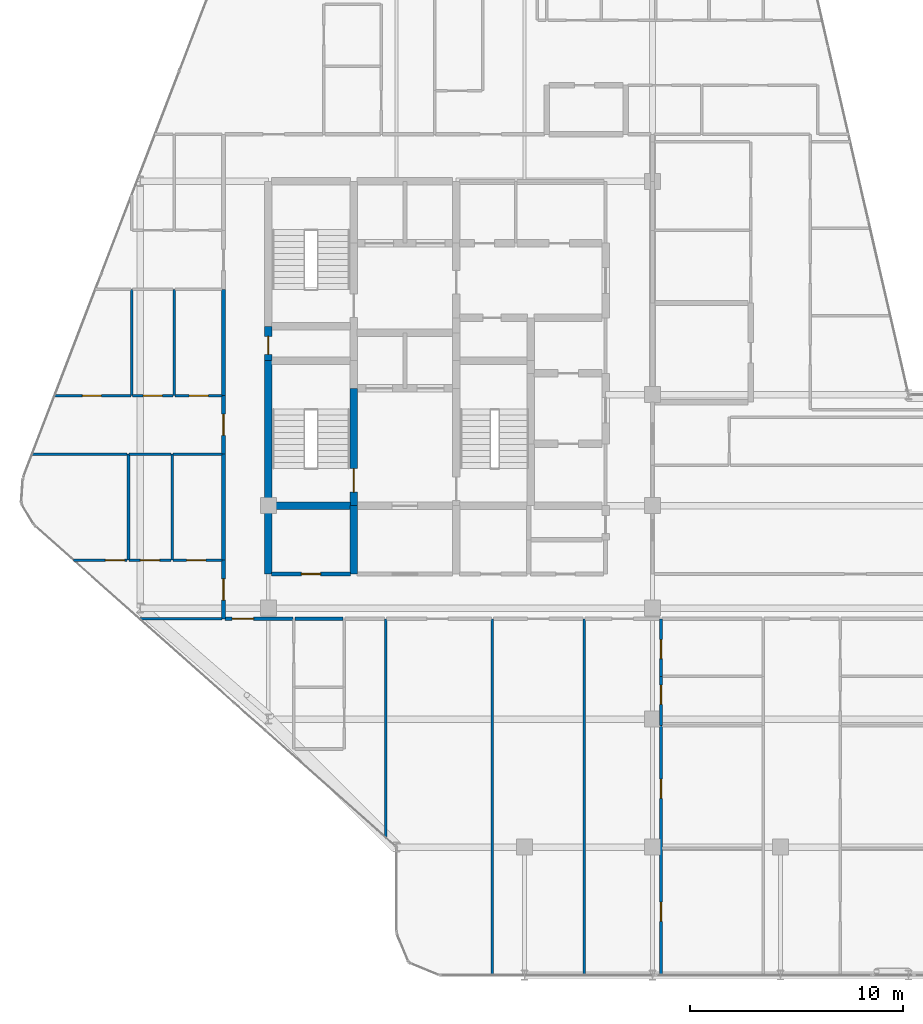
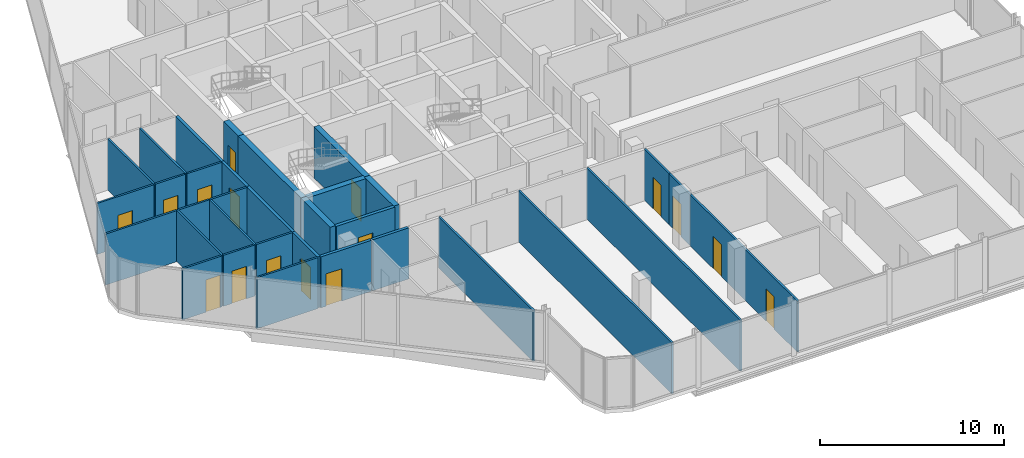
# One storey, part 23 of 29: 33 walls, 16 doors, 16 openings.
"""IFC4 building model written with IfcOpenShell, lengths in metres."""

from ifc_helpers import new_model, si_unit, direction, frame, frame_2d, origin, place, context, subcontext, project, spatial, rectangle, extrude, material, layer, layer_set, type_object, element, fill, save


model = new_model("IFC4")

# Units and contexts
model_context = context("Model", 3, precision=1e-05, world=origin(), true_north=direction((0.0, 1.0)))
body_context = subcontext(model_context, "Body", "Model", "MODEL_VIEW")
ifc_project = project(units=[si_unit("LENGTHUNIT", "METRE"), si_unit("AREAUNIT", "SQUARE_METRE"), si_unit("VOLUMEUNIT", "CUBIC_METRE"), si_unit("PLANEANGLEUNIT", "RADIAN"), si_unit("MASSUNIT", "GRAM", prefix="KILO")], contexts=[model_context])

# Site, building, storey
site_placement = place(None, origin())
site = spatial("IfcSite", under=ifc_project, at=site_placement, CompositionType="ELEMENT")
building_placement = place(site_placement, origin())
building = spatial("IfcBuilding", under=site, at=building_placement, Name="Keshet Zoharim Tower", CompositionType="ELEMENT")
storey_placement = place(building_placement, frame((0.0, 0.0, 230.199951171875)))
storey = spatial("IfcBuildingStorey", under=building, at=storey_placement, Name="L57", CompositionType="ELEMENT", Elevation=230.199951171875)

# Walls
ifc_material_1 = material(Name="Concrete C60/75", Category="concrete")
ifc_layer_1 = layer(ifc_material_1, 0.35009765625)
ifc_layer_set_1 = layer_set([ifc_layer_1], Name="Concrete C60/75")
wall_type_1 = type_object("IfcWallType", Name="WL-CORE-350", PredefinedType="SHEAR", material=ifc_layer_set_1)
wall_1_placement = place(storey_placement, frame((15.0, 19.5, 0.0), z_axis=(0.0, 0.0, 1.0), x_axis=(0.0, 1.0, 0.0)))
element("IfcWall", 1, at=wall_1_placement, inside=storey, type_object=wall_type_1, Name="L57 Core Shear Wall 013", PredefinedType="SHEAR", context=body_context, shape_type="SweptSolid", body=[
    extrude(rectangle(XDim=3.199951171875, YDim=0.35009765625, at=frame_2d((1.60009765625, 0.0))), origin(), (0.0, 0.0, 1.0), 3.39013671875),
])
wall_2_placement = place(storey_placement, frame((15.0, 22.699951171875, 0.0), z_axis=(0.0, 0.0, 1.0), x_axis=(0.0, 1.0, 0.0)))
element("IfcWall", 2, at=wall_2_placement, inside=storey, type_object=wall_type_1, Name="L57 Core Shear Wall 014", PredefinedType="SHEAR", context=body_context, shape_type="SweptSolid", body=[
    extrude(rectangle(XDim=6.800048828125, YDim=0.35009765625, at=frame_2d((3.39990234375, 0.0))), origin(), (0.0, 0.0, 1.0), 3.39013671875),
])

# Wall, opening, door
wall_3_placement = place(storey_placement, frame((15.0, 29.5, 0.0), z_axis=(0.0, 0.0, 1.0), x_axis=(0.0, 1.0, 0.0)))
wall_3 = element("IfcWall", 3, at=wall_3_placement, inside=storey, type_object=wall_type_1, Name="L57 Core Shear Wall 015", PredefinedType="SHEAR", context=body_context, shape_type="SweptSolid", body=[
    extrude(rectangle(XDim=1.60009765625, YDim=0.35009765625, at=frame_2d((0.800048828125, 0.0))), origin(), (0.0, 0.0, 1.0), 3.39013671875),
])
opening_1_placement = place(wall_3_placement, frame((0.287109375, 0.0, 0.0)))
opening_1 = element("IfcOpeningElement", 4, at=opening_1_placement, cuts=wall_3, Name="Opening D-RS85", PredefinedType="OPENING", context=body_context, shape_type="SweptSolid", body=[
    extrude(rectangle(XDim=0.85009765625, YDim=2.10009765625, at=frame_2d((0.425048828125, 1.050048828125))), frame((0.0, 0.18505859375, 0.0), z_axis=(0.0, -1.0, 0.0), x_axis=(1.0, 0.0, 0.0)), (0.0, 0.0, 1.0), 0.3701171875),
])
ifc_material_2 = material(Name="Hardwood Timber", Category="wood")
door_type_1 = type_object("IfcDoorType", Name="DR-RIS-085", OperationType="NOTDEFINED", PredefinedType="DOOR", material=ifc_material_2)
door_1_placement = place(opening_1_placement, origin())
door_1 = element("IfcDoor", 5, at=door_1_placement, inside=storey, type_object=door_type_1, Name="L57 Electrical Riser Access Cupboard Door", OperationType="SINGLE_SWING_RIGHT", OverallHeight=2.10009765625, OverallWidth=0.85009765625, PredefinedType="DOOR", context=body_context, shape_type="SweptSolid", body=[
    extrude(rectangle(XDim=0.85009765625, YDim=2.10009765625, at=frame_2d((0.425048828125, 1.050048828125))), frame((0.0, 0.02490234375, 0.0), z_axis=(0.0, -1.0, 0.0), x_axis=(1.0, 0.0, 0.0)), (0.0, 0.0, 1.0), 0.050048828125),
])
fill(opening_1, door_1)

# Wall
wall_4_placement = place(storey_placement, frame((19.0, 19.5, 0.0), z_axis=(0.0, 0.0, 1.0), x_axis=(0.0, 1.0, 0.0)))
element("IfcWall", 6, at=wall_4_placement, inside=storey, type_object=wall_type_1, Name="L57 Core Shear Wall 023", PredefinedType="SHEAR", context=body_context, shape_type="SweptSolid", body=[
    extrude(rectangle(XDim=3.199951171875, YDim=0.35009765625, at=frame_2d((1.60009765625, 0.0))), origin(), (0.0, 0.0, 1.0), 3.39013671875),
])

# Wall, opening, door
wall_5_placement = place(storey_placement, frame((19.0, 22.699951171875, 0.0), z_axis=(0.0, 0.0, 1.0), x_axis=(0.0, 1.0, 0.0)))
wall_5 = element("IfcWall", 7, at=wall_5_placement, inside=storey, type_object=wall_type_1, Name="L57 Core Shear Wall 024", PredefinedType="SHEAR", context=body_context, shape_type="SweptSolid", body=[
    extrude(rectangle(XDim=5.5, YDim=0.35009765625, at=frame_2d((2.75, 0.0))), origin(), (0.0, 0.0, 1.0), 3.39013671875),
])
opening_2_placement = place(wall_5_placement, frame((0.631103515625, 0.0, 0.0)))
opening_2 = element("IfcOpeningElement", 8, at=opening_2_placement, cuts=wall_5, Name="Opening D-F611", PredefinedType="OPENING", context=body_context, shape_type="SweptSolid", body=[
    extrude(rectangle(XDim=1.10009765625, YDim=2.14990234375, at=frame_2d((0.550048828125, 1.074951171875))), frame((0.0, 0.18505859375, 0.0), z_axis=(0.0, -1.0, 0.0), x_axis=(1.0, 0.0, 0.0)), (0.0, 0.0, 1.0), 0.3701171875),
])
door_type_2 = type_object("IfcDoorType", Name="DR-FD60-110", OperationType="NOTDEFINED", PredefinedType="DOOR", material=ifc_material_2)
door_2_placement = place(opening_2_placement, origin())
door_2 = element("IfcDoor", 9, at=door_2_placement, inside=storey, type_object=door_type_2, Name="L57 Exit Stair ST-01 Fire Door", OperationType="SINGLE_SWING_RIGHT", OverallHeight=2.14990234375, OverallWidth=1.10009765625, PredefinedType="DOOR", context=body_context, shape_type="SweptSolid", body=[
    extrude(rectangle(XDim=1.10009765625, YDim=2.14990234375, at=frame_2d((0.550048828125, 1.074951171875))), frame((0.0, 0.02490234375, 0.0), z_axis=(0.0, -1.0, 0.0), x_axis=(1.0, 0.0, 0.0)), (0.0, 0.0, 1.0), 0.050048828125),
])
fill(opening_2, door_2)

# Wall
wall_6_placement = place(storey_placement, frame((15.159912109375, 22.699951171875, 0.0), z_axis=(0.0, 0.0, 1.0), x_axis=(1.0, 0.0, 0.0)))
element("IfcWall", 10, at=wall_6_placement, inside=storey, type_object=wall_type_1, Name="L57 Core Shear Wall 132", PredefinedType="SHEAR", context=body_context, shape_type="SweptSolid", body=[
    extrude(rectangle(XDim=3.68017578125, YDim=0.35009765625, at=frame_2d((1.840087890625, 0.0))), origin(), (0.0, 0.0, 1.0), 3.39013671875),
])

# Wall, opening, door
ifc_material_3 = material(Name="Gypsum Plasterboard", Category="gypsum")
ifc_layer_2 = layer(ifc_material_3, 0.179931640625)
ifc_layer_set_2 = layer_set([ifc_layer_2], Name="Gypsum Plasterboard")
wall_type_2 = type_object("IfcWallType", Name="WL-CORR-180", PredefinedType="STANDARD", material=ifc_layer_set_2)
wall_7_placement = place(storey_placement, frame((12.89990234375, 17.39990234375, 0.0), z_axis=(0.0, 0.0, 1.0), x_axis=(0.0, 1.0, 0.0)))
wall_7 = element("IfcWall", 11, at=wall_7_placement, inside=storey, type_object=wall_type_2, Name="L57 Interior Wall 007", PredefinedType="STANDARD", context=body_context, shape_type="SweptSolid", body=[
    extrude(rectangle(XDim=2.75, YDim=0.179931640625, at=frame_2d((1.375, 0.0))), origin(), (0.0, 0.0, 1.0), 3.39013671875),
])
opening_3_placement = place(wall_7_placement, frame((0.875, 0.0, 0.0)))
opening_3 = element("IfcOpeningElement", 12, at=opening_3_placement, cuts=wall_7, Name="Opening D-F310", PredefinedType="OPENING", context=body_context, shape_type="SweptSolid", body=[
    extrude(rectangle(XDim=1.0, YDim=2.14990234375, at=frame_2d((0.5, 1.074951171875))), frame((0.0, 0.10009765625, 0.0), z_axis=(0.0, -1.0, 0.0), x_axis=(1.0, 0.0, 0.0)), (0.0, 0.0, 1.0), 0.199951171875),
])
door_type_3 = type_object("IfcDoorType", Name="DR-FD30-100", OperationType="NOTDEFINED", PredefinedType="DOOR", material=ifc_material_2)
door_3_placement = place(opening_3_placement, origin())
door_3 = element("IfcDoor", 13, at=door_3_placement, inside=storey, type_object=door_type_3, Name="Apartment 5707 Entrance Door", OperationType="SINGLE_SWING_LEFT", OverallHeight=2.14990234375, OverallWidth=1.0, PredefinedType="DOOR", context=body_context, shape_type="SweptSolid", body=[
    extrude(rectangle(XDim=1.0, YDim=2.14990234375, at=frame_2d((0.5, 1.074951171875))), frame((0.0, 0.02490234375, 0.0), z_axis=(0.0, -1.0, 0.0), x_axis=(1.0, 0.0, 0.0)), (0.0, 0.0, 1.0), 0.050048828125),
])
fill(opening_3, door_3)

# Wall
wall_8_placement = place(storey_placement, frame((12.89990234375, 20.14990234375, 0.0), z_axis=(0.0, 0.0, 1.0), x_axis=(0.0, 1.0, 0.0)))
element("IfcWall", 14, at=wall_8_placement, inside=storey, type_object=wall_type_2, Name="L57 Interior Wall 008", PredefinedType="STANDARD", context=body_context, shape_type="SweptSolid", body=[
    extrude(rectangle(XDim=4.97021484375, YDim=0.179931640625, at=frame_2d((2.485107421875, 0.0))), origin(), (0.0, 0.0, 1.0), 3.39013671875),
])

# Wall, opening, door
wall_9_placement = place(storey_placement, frame((12.89990234375, 25.1201171875, 0.0), z_axis=(0.0, 0.0, 1.0), x_axis=(0.0, 1.0, 0.0)))
wall_9 = element("IfcWall", 15, at=wall_9_placement, inside=storey, type_object=wall_type_2, Name="L57 Interior Wall 009", PredefinedType="STANDARD", context=body_context, shape_type="SweptSolid", body=[
    extrude(rectangle(XDim=2.75, YDim=0.179931640625, at=frame_2d((1.375, 0.0))), origin(), (0.0, 0.0, 1.0), 3.39013671875),
])
opening_4_placement = place(wall_9_placement, frame((0.875, 0.0, 0.0)))
opening_4 = element("IfcOpeningElement", 16, at=opening_4_placement, cuts=wall_9, Name="Opening D-F310", PredefinedType="OPENING", context=body_context, shape_type="SweptSolid", body=[
    extrude(rectangle(XDim=1.0, YDim=2.14990234375, at=frame_2d((0.5, 1.074951171875))), frame((0.0, 0.10009765625, 0.0), z_axis=(0.0, -1.0, 0.0), x_axis=(1.0, 0.0, 0.0)), (0.0, 0.0, 1.0), 0.199951171875),
])
door_4_placement = place(opening_4_placement, origin())
door_4 = element("IfcDoor", 17, at=door_4_placement, inside=storey, type_object=door_type_3, Name="Apartment 5708 Entrance Door", OperationType="SINGLE_SWING_RIGHT", OverallHeight=2.14990234375, OverallWidth=1.0, PredefinedType="DOOR", context=body_context, shape_type="SweptSolid", body=[
    extrude(rectangle(XDim=1.0, YDim=2.14990234375, at=frame_2d((0.5, 1.074951171875))), frame((0.0, 0.02490234375, 0.0), z_axis=(0.0, -1.0, 0.0), x_axis=(1.0, 0.0, 0.0)), (0.0, 0.0, 1.0), 0.050048828125),
])
fill(opening_4, door_4)

# Wall
wall_10_placement = place(storey_placement, frame((12.89990234375, 27.8701171875, 0.0), z_axis=(0.0, 0.0, 1.0), x_axis=(0.0, 1.0, 0.0)))
element("IfcWall", 18, at=wall_10_placement, inside=storey, type_object=wall_type_2, Name="L57 Interior Wall 010", PredefinedType="STANDARD", context=body_context, shape_type="SweptSolid", body=[
    extrude(rectangle(XDim=4.969970703125, YDim=0.179931640625, at=frame_2d((2.48486328125, 0.0))), origin(), (0.0, 0.0, 1.0), 3.39013671875),
])

# Wall, opening, door
wall_11_placement = place(storey_placement, frame((12.97509765625, 17.39990234375, 0.0), z_axis=(0.0, 0.0, 1.0), x_axis=(1.0, 0.0, 0.0)))
wall_11 = element("IfcWall", 19, at=wall_11_placement, inside=storey, type_object=wall_type_2, Name="L57 Interior Wall 111", PredefinedType="STANDARD", context=body_context, shape_type="SweptSolid", body=[
    extrude(rectangle(XDim=3.179931640625, YDim=0.179931640625, at=frame_2d((1.58984375, 0.0))), origin(), (0.0, 0.0, 1.0), 3.39013671875),
])
opening_5_placement = place(wall_11_placement, frame((0.33203125, 0.0, 0.0)))
opening_5 = element("IfcOpeningElement", 20, at=opening_5_placement, cuts=wall_11, Name="Opening D-F310", PredefinedType="OPENING", context=body_context, shape_type="SweptSolid", body=[
    extrude(rectangle(XDim=1.0, YDim=2.14990234375, at=frame_2d((0.5, 1.074951171875))), frame((0.0, 0.10009765625, 0.0), z_axis=(0.0, -1.0, 0.0), x_axis=(1.0, 0.0, 0.0)), (0.0, 0.0, 1.0), 0.199951171875),
])
door_5_placement = place(opening_5_placement, origin())
door_5 = element("IfcDoor", 21, at=door_5_placement, inside=storey, type_object=door_type_3, Name="Apartment 5701 Entrance Door", OperationType="SINGLE_SWING_RIGHT", OverallHeight=2.14990234375, OverallWidth=1.0, PredefinedType="DOOR", context=body_context, shape_type="SweptSolid", body=[
    extrude(rectangle(XDim=1.0, YDim=2.14990234375, at=frame_2d((0.5, 1.074951171875))), frame((0.0, 0.02490234375, 0.0), z_axis=(0.0, -1.0, 0.0), x_axis=(1.0, 0.0, 0.0)), (0.0, 0.0, 1.0), 0.050048828125),
])
fill(opening_5, door_5)

# Wall
wall_12_placement = place(storey_placement, frame((16.2451171875, 17.39990234375, 0.0), z_axis=(0.0, 0.0, 1.0), x_axis=(1.0, 0.0, 0.0)))
element("IfcWall", 22, at=wall_12_placement, inside=storey, type_object=wall_type_2, Name="L57 Interior Wall 112", PredefinedType="STANDARD", context=body_context, shape_type="SweptSolid", body=[
    extrude(rectangle(XDim=2.259765625, YDim=0.179931640625, at=frame_2d((1.1298828125, 0.0))), origin(), (0.0, 0.0, 1.0), 3.39013671875),
])

# Wall, opening, door
ifc_material_4 = material(Name="Concrete C50/60", Category="concrete")
ifc_layer_3 = layer(ifc_material_4, 0.199951171875)
ifc_layer_set_3 = layer_set([ifc_layer_3], Name="Concrete C50/60")
wall_type_3 = type_object("IfcWallType", Name="WL-FIRE-200", PredefinedType="STANDARD", material=ifc_layer_set_3)
wall_13_placement = place(storey_placement, frame((15.159912109375, 19.5, 0.0), z_axis=(0.0, 0.0, 1.0), x_axis=(1.0, 0.0, 0.0)))
wall_13 = element("IfcWall", 23, at=wall_13_placement, inside=storey, type_object=wall_type_3, Name="L57 Interior Wall 123", PredefinedType="STANDARD", context=body_context, shape_type="SweptSolid", body=[
    extrude(rectangle(XDim=3.68017578125, YDim=0.199951171875, at=frame_2d((1.840087890625, 0.0))), origin(), (0.0, 0.0, 1.0), 3.39013671875),
])
opening_6_placement = place(wall_13_placement, frame((1.389892578125, 0.0, 0.0)))
opening_6 = element("IfcOpeningElement", 24, at=opening_6_placement, cuts=wall_13, Name="Opening D-F690", PredefinedType="OPENING", context=body_context, shape_type="SweptSolid", body=[
    extrude(rectangle(XDim=0.89990234375, YDim=2.14990234375, at=frame_2d((0.449951171875, 1.074951171875))), frame((0.0, 0.10986328125, 0.0), z_axis=(0.0, -1.0, 0.0), x_axis=(1.0, 0.0, 0.0)), (0.0, 0.0, 1.0), 0.219970703125),
])
door_type_4 = type_object("IfcDoorType", Name="DR-FD60-090", OperationType="NOTDEFINED", PredefinedType="DOOR", material=ifc_material_2)
door_6_placement = place(opening_6_placement, origin())
door_6 = element("IfcDoor", 25, at=door_6_placement, inside=storey, type_object=door_type_4, Name="L57 Refuse Store Door", OperationType="SINGLE_SWING_RIGHT", OverallHeight=2.14990234375, OverallWidth=0.89990234375, PredefinedType="DOOR", context=body_context, shape_type="SweptSolid", body=[
    extrude(rectangle(XDim=0.89990234375, YDim=2.14990234375, at=frame_2d((0.449951171875, 1.074951171875))), frame((0.0, 0.02490234375, 0.0), z_axis=(0.0, -1.0, 0.0), x_axis=(1.0, 0.0, 0.0)), (0.0, 0.0, 1.0), 0.050048828125),
])
fill(opening_6, door_6)

# Walls
ifc_layer_4 = layer(ifc_material_3, 0.1201171875)
ifc_layer_set_4 = layer_set([ifc_layer_4], Name="Gypsum Plasterboard")
wall_type_4 = type_object("IfcWallType", Name="WL-PART-120", PredefinedType="PARTITIONING", material=ifc_layer_set_4)
wall_14_placement = place(storey_placement, frame((8.449951171875, 20.14990234375, 0.0), z_axis=(0.0, 0.0, 1.0), x_axis=(0.0, 1.0, 0.0)))
element("IfcWall", 26, at=wall_14_placement, inside=storey, type_object=wall_type_4, Name="L57 Interior Wall 001", PredefinedType="PARTITIONING", context=body_context, shape_type="SweptSolid", body=[
    extrude(rectangle(XDim=4.97021484375, YDim=0.1201171875, at=frame_2d((2.485107421875, 0.0))), origin(), (0.0, 0.0, 1.0), 3.39013671875),
])
wall_15_placement = place(storey_placement, frame((8.60009765625, 27.8701171875, 0.0), z_axis=(0.0, 0.0, 1.0), x_axis=(0.0, 1.0, 0.0)))
element("IfcWall", 27, at=wall_15_placement, inside=storey, type_object=wall_type_4, Name="L57 Interior Wall 002", PredefinedType="PARTITIONING", context=body_context, shape_type="SweptSolid", body=[
    extrude(rectangle(XDim=4.969970703125, YDim=0.1201171875, at=frame_2d((2.48486328125, 0.0))), origin(), (0.0, 0.0, 1.0), 3.39013671875),
])
wall_16_placement = place(storey_placement, frame((20.5, 7.154052734375, 0.0), z_axis=(0.0, 0.0, 1.0), x_axis=(0.0, 1.0, 0.0)))
element("IfcWall", 28, at=wall_16_placement, inside=storey, type_object=wall_type_4, Name="L57 Interior Wall 030", PredefinedType="PARTITIONING", context=body_context, shape_type="SweptSolid", body=[
    extrude(rectangle(XDim=10.245849609375, YDim=0.1201171875, at=frame_2d((5.123046875, 0.0))), origin(), (0.0, 0.0, 1.0), 3.39013671875),
])
for number, where, z_axis, x_axis, name in (
    (29, (25.5, 0.7099609375, 0.0), (0.0, 0.0, 1.0), (0.0, 1.0, 0.0), "L57 Interior Wall 043"),
    (30, (29.800048828125, 0.7099609375, 0.0), (0.0, 0.0, 1.0), (0.0, 1.0, 0.0), "L57 Interior Wall 054"),
):
    element("IfcWall", number, at=place(storey_placement, frame(where, z_axis=z_axis, x_axis=x_axis)), inside=storey, type_object=wall_type_4, Name=name, PredefinedType="PARTITIONING", context=body_context, shape_type="SweptSolid", body=[
        extrude(rectangle(XDim=16.68994140625, YDim=0.1201171875, at=frame_2d((8.344970703125, 0.0))), origin(), (0.0, 0.0, 1.0), 3.39013671875),
    ])

# Wall, openings, doors
wall_17_placement = place(storey_placement, frame((33.39990234375, 0.7099609375, 0.0), z_axis=(0.0, 0.0, 1.0), x_axis=(0.0, 1.0, 0.0)))
wall_17 = element("IfcWall", 31, at=wall_17_placement, inside=storey, type_object=wall_type_4, Name="L57 Interior Wall 071", PredefinedType="PARTITIONING", context=body_context, shape_type="SweptSolid", body=[
    extrude(rectangle(XDim=11.68994140625, YDim=0.1201171875, at=frame_2d((5.844970703125, 0.0))), origin(), (0.0, 0.0, 1.0), 3.39013671875),
])
opening_7_placement = place(wall_17_placement, frame((2.513916015625, 0.0, 0.0)))
opening_7 = element("IfcOpeningElement", 32, at=opening_7_placement, cuts=wall_17, Name="Opening D-IN90", PredefinedType="OPENING", context=body_context, shape_type="SweptSolid", body=[
    extrude(rectangle(XDim=0.89990234375, YDim=2.14990234375, at=frame_2d((0.449951171875, 1.074951171875))), frame((0.0, 0.070068359375, 0.0), z_axis=(0.0, -1.0, 0.0), x_axis=(1.0, 0.0, 0.0)), (0.0, 0.0, 1.0), 0.14013671875),
])
opening_8_placement = place(wall_17_placement, frame((8.280029296875, 0.0, 0.0)))
opening_8 = element("IfcOpeningElement", 33, at=opening_8_placement, cuts=wall_17, Name="Opening D-IN90", PredefinedType="OPENING", context=body_context, shape_type="SweptSolid", body=[
    extrude(rectangle(XDim=0.89990234375, YDim=2.14990234375, at=frame_2d((0.449951171875, 1.074951171875))), frame((0.0, 0.070068359375, 0.0), z_axis=(0.0, -1.0, 0.0), x_axis=(1.0, 0.0, 0.0)), (0.0, 0.0, 1.0), 0.14013671875),
])
door_type_5 = type_object("IfcDoorType", Name="DR-INT-090", OperationType="NOTDEFINED", PredefinedType="DOOR", material=ifc_material_2)
door_7_placement = place(opening_7_placement, origin())
door_7 = element("IfcDoor", 34, at=door_7_placement, inside=storey, type_object=door_type_5, Name="Apartment 5702 Bedroom 1 Door", OperationType="SINGLE_SWING_RIGHT", OverallHeight=2.14990234375, OverallWidth=0.89990234375, PredefinedType="DOOR", context=body_context, shape_type="SweptSolid", body=[
    extrude(rectangle(XDim=0.89990234375, YDim=2.14990234375, at=frame_2d((0.449951171875, 1.074951171875))), frame((0.0, 0.02490234375, 0.0), z_axis=(0.0, -1.0, 0.0), x_axis=(1.0, 0.0, 0.0)), (0.0, 0.0, 1.0), 0.050048828125),
])
fill(opening_7, door_7)
door_8_placement = place(opening_8_placement, origin())
door_8 = element("IfcDoor", 35, at=door_8_placement, inside=storey, type_object=door_type_5, Name="Apartment 5702 Bedroom 2 Door", OperationType="SINGLE_SWING_LEFT", OverallHeight=2.14990234375, OverallWidth=0.89990234375, PredefinedType="DOOR", context=body_context, shape_type="SweptSolid", body=[
    extrude(rectangle(XDim=0.89990234375, YDim=2.14990234375, at=frame_2d((0.449951171875, 1.074951171875))), frame((0.0, 0.02490234375, 0.0), z_axis=(0.0, -1.0, 0.0), x_axis=(1.0, 0.0, 0.0)), (0.0, 0.0, 1.0), 0.050048828125),
])
fill(opening_8, door_8)

# Wall, opening, door
wall_18_placement = place(storey_placement, frame((33.39990234375, 12.39990234375, 0.0), z_axis=(0.0, 0.0, 1.0), x_axis=(0.0, 1.0, 0.0)))
wall_18 = element("IfcWall", 36, at=wall_18_placement, inside=storey, type_object=wall_type_4, Name="L57 Interior Wall 072", PredefinedType="PARTITIONING", context=body_context, shape_type="SweptSolid", body=[
    extrude(rectangle(XDim=2.300048828125, YDim=0.1201171875, at=frame_2d((1.14990234375, 0.0))), origin(), (0.0, 0.0, 1.0), 3.39013671875),
])
opening_9_placement = place(wall_18_placement, frame((0.9951171875, 0.0, 0.0)))
opening_9 = element("IfcOpeningElement", 37, at=opening_9_placement, cuts=wall_18, Name="Opening D-IN90", PredefinedType="OPENING", context=body_context, shape_type="SweptSolid", body=[
    extrude(rectangle(XDim=0.89990234375, YDim=2.14990234375, at=frame_2d((0.449951171875, 1.074951171875))), frame((0.0, 0.070068359375, 0.0), z_axis=(0.0, -1.0, 0.0), x_axis=(1.0, 0.0, 0.0)), (0.0, 0.0, 1.0), 0.14013671875),
])
door_9_placement = place(opening_9_placement, origin())
door_9 = element("IfcDoor", 38, at=door_9_placement, inside=storey, type_object=door_type_5, Name="Apartment 5702 Kitchen Door", OperationType="SINGLE_SWING_RIGHT", OverallHeight=2.14990234375, OverallWidth=0.89990234375, PredefinedType="DOOR", context=body_context, shape_type="SweptSolid", body=[
    extrude(rectangle(XDim=0.89990234375, YDim=2.14990234375, at=frame_2d((0.449951171875, 1.074951171875))), frame((0.0, 0.02490234375, 0.0), z_axis=(0.0, -1.0, 0.0), x_axis=(1.0, 0.0, 0.0)), (0.0, 0.0, 1.0), 0.050048828125),
])
fill(opening_9, door_9)

# Wall
wall_19_placement = place(storey_placement, frame((8.972900390625, 17.39990234375, 0.0), z_axis=(0.0, 0.0, 1.0), x_axis=(1.0, 0.0, 0.0)))
element("IfcWall", 39, at=wall_19_placement, inside=storey, type_object=wall_type_4, Name="L57 Interior Wall 110", PredefinedType="PARTITIONING", context=body_context, shape_type="SweptSolid", body=[
    extrude(rectangle(XDim=3.85205078125, YDim=0.1201171875, at=frame_2d((1.926025390625, 0.0))), origin(), (0.0, 0.0, 1.0), 3.39013671875),
])

# Wall, opening, door
wall_20_placement = place(storey_placement, frame((5.87890625, 20.14990234375, 0.0), z_axis=(0.0, 0.0, 1.0), x_axis=(1.0, 0.0, 0.0)))
wall_20 = element("IfcWall", 40, at=wall_20_placement, inside=storey, type_object=wall_type_4, Name="L57 Interior Wall 128", PredefinedType="PARTITIONING", context=body_context, shape_type="SweptSolid", body=[
    extrude(rectangle(XDim=2.504150390625, YDim=0.1201171875, at=frame_2d((1.251953125, 0.0))), origin(), (0.0, 0.0, 1.0), 3.39013671875),
])
opening_10_placement = place(wall_20_placement, frame((1.48388671875, 0.0, 0.0)))
opening_10 = element("IfcOpeningElement", 41, at=opening_10_placement, cuts=wall_20, Name="Opening D-IN90", PredefinedType="OPENING", context=body_context, shape_type="SweptSolid", body=[
    extrude(rectangle(XDim=0.89990234375, YDim=2.14990234375, at=frame_2d((0.449951171875, 1.074951171875))), frame((0.0, 0.070068359375, 0.0), z_axis=(0.0, -1.0, 0.0), x_axis=(1.0, 0.0, 0.0)), (0.0, 0.0, 1.0), 0.14013671875),
])
door_10_placement = place(opening_10_placement, origin())
door_10 = element("IfcDoor", 42, at=door_10_placement, inside=storey, type_object=door_type_5, Name="Apartment 5707 Bedroom 1 Door", OperationType="SINGLE_SWING_LEFT", OverallHeight=2.14990234375, OverallWidth=0.89990234375, PredefinedType="DOOR", context=body_context, shape_type="SweptSolid", body=[
    extrude(rectangle(XDim=0.89990234375, YDim=2.14990234375, at=frame_2d((0.449951171875, 1.074951171875))), frame((0.0, 0.02490234375, 0.0), z_axis=(0.0, -1.0, 0.0), x_axis=(1.0, 0.0, 0.0)), (0.0, 0.0, 1.0), 0.050048828125),
])
fill(opening_10, door_10)

wall_21_placement = place(storey_placement, frame((8.472900390625, 20.14990234375, 0.0), z_axis=(0.0, 0.0, 1.0), x_axis=(1.0, 0.0, 0.0)))
wall_21 = element("IfcWall", 43, at=wall_21_placement, inside=storey, type_object=wall_type_4, Name="L57 Interior Wall 129", PredefinedType="PARTITIONING", context=body_context, shape_type="SweptSolid", body=[
    extrude(rectangle(XDim=1.967041015625, YDim=0.1201171875, at=frame_2d((0.9833984375, 0.0))), origin(), (0.0, 0.0, 1.0), 3.39013671875),
])
opening_11_placement = place(wall_21_placement, frame((0.533935546875, 0.0, 0.0)))
opening_11 = element("IfcOpeningElement", 44, at=opening_11_placement, cuts=wall_21, Name="Opening D-IN90", PredefinedType="OPENING", context=body_context, shape_type="SweptSolid", body=[
    extrude(rectangle(XDim=0.89990234375, YDim=2.14990234375, at=frame_2d((0.449951171875, 1.074951171875))), frame((0.0, 0.070068359375, 0.0), z_axis=(0.0, -1.0, 0.0), x_axis=(1.0, 0.0, 0.0)), (0.0, 0.0, 1.0), 0.14013671875),
])
door_11_placement = place(opening_11_placement, origin())
door_11 = element("IfcDoor", 45, at=door_11_placement, inside=storey, type_object=door_type_5, Name="Apartment 5707 Kitchen Door", OperationType="SINGLE_SWING_RIGHT", OverallHeight=2.14990234375, OverallWidth=0.89990234375, PredefinedType="DOOR", context=body_context, shape_type="SweptSolid", body=[
    extrude(rectangle(XDim=0.89990234375, YDim=2.14990234375, at=frame_2d((0.449951171875, 1.074951171875))), frame((0.0, 0.02490234375, 0.0), z_axis=(0.0, -1.0, 0.0), x_axis=(1.0, 0.0, 0.0)), (0.0, 0.0, 1.0), 0.050048828125),
])
fill(opening_11, door_11)

# Walls
wall_22_placement = place(storey_placement, frame((3.93310546875, 25.10009765625, 0.0), z_axis=(0.0, 0.0, 1.0), x_axis=(1.0, 0.0, 0.0)))
element("IfcWall", 46, at=wall_22_placement, inside=storey, type_object=wall_type_4, Name="L57 Interior Wall 138", PredefinedType="PARTITIONING", context=body_context, shape_type="SweptSolid", body=[
    extrude(rectangle(XDim=4.449951171875, YDim=0.1201171875, at=frame_2d((2.22509765625, 0.0))), origin(), (0.0, 0.0, 1.0), 3.39013671875),
])
wall_23_placement = place(storey_placement, frame((8.472900390625, 25.10009765625, 0.0), z_axis=(0.0, 0.0, 1.0), x_axis=(1.0, 0.0, 0.0)))
element("IfcWall", 47, at=wall_23_placement, inside=storey, type_object=wall_type_4, Name="L57 Interior Wall 139", PredefinedType="PARTITIONING", context=body_context, shape_type="SweptSolid", body=[
    extrude(rectangle(XDim=1.967041015625, YDim=0.1201171875, at=frame_2d((0.9833984375, 0.0))), origin(), (0.0, 0.0, 1.0), 3.39013671875),
])

# Wall, opening, door
wall_24_placement = place(storey_placement, frame((4.990966796875, 27.85009765625, 0.0), z_axis=(0.0, 0.0, 1.0), x_axis=(1.0, 0.0, 0.0)))
wall_24 = element("IfcWall", 48, at=wall_24_placement, inside=storey, type_object=wall_type_4, Name="L57 Interior Wall 145", PredefinedType="PARTITIONING", context=body_context, shape_type="SweptSolid", body=[
    extrude(rectangle(XDim=3.56396484375, YDim=0.1201171875, at=frame_2d((1.781982421875, 0.0))), origin(), (0.0, 0.0, 1.0), 3.39013671875),
])
opening_12_placement = place(wall_24_placement, frame((1.291015625, 0.0, 0.0)))
opening_12 = element("IfcOpeningElement", 49, at=opening_12_placement, cuts=wall_24, Name="Opening D-IN90", PredefinedType="OPENING", context=body_context, shape_type="SweptSolid", body=[
    extrude(rectangle(XDim=0.89990234375, YDim=2.14990234375, at=frame_2d((0.449951171875, 1.074951171875))), frame((0.0, 0.070068359375, 0.0), z_axis=(0.0, -1.0, 0.0), x_axis=(1.0, 0.0, 0.0)), (0.0, 0.0, 1.0), 0.14013671875),
])
door_12_placement = place(opening_12_placement, origin())
door_12 = element("IfcDoor", 50, at=door_12_placement, inside=storey, type_object=door_type_5, Name="Apartment 5708 Bedroom 1 Door", OperationType="SINGLE_SWING_RIGHT", OverallHeight=2.14990234375, OverallWidth=0.89990234375, PredefinedType="DOOR", context=body_context, shape_type="SweptSolid", body=[
    extrude(rectangle(XDim=0.89990234375, YDim=2.14990234375, at=frame_2d((0.449951171875, 1.074951171875))), frame((0.0, 0.02490234375, 0.0), z_axis=(0.0, -1.0, 0.0), x_axis=(1.0, 0.0, 0.0)), (0.0, 0.0, 1.0), 0.050048828125),
])
fill(opening_12, door_12)

wall_25_placement = place(storey_placement, frame((8.64501953125, 27.85009765625, 0.0), z_axis=(0.0, 0.0, 1.0), x_axis=(1.0, 0.0, 0.0)))
wall_25 = element("IfcWall", 51, at=wall_25_placement, inside=storey, type_object=wall_type_4, Name="L57 Interior Wall 146", PredefinedType="PARTITIONING", context=body_context, shape_type="SweptSolid", body=[
    extrude(rectangle(XDim=1.887939453125, YDim=0.1201171875, at=frame_2d((0.94384765625, 0.0))), origin(), (0.0, 0.0, 1.0), 3.39013671875),
])
opening_13_placement = place(wall_25_placement, frame((0.493896484375, 0.0, 0.0)))
opening_13 = element("IfcOpeningElement", 52, at=opening_13_placement, cuts=wall_25, Name="Opening D-IN90", PredefinedType="OPENING", context=body_context, shape_type="SweptSolid", body=[
    extrude(rectangle(XDim=0.89990234375, YDim=2.14990234375, at=frame_2d((0.449951171875, 1.074951171875))), frame((0.0, 0.070068359375, 0.0), z_axis=(0.0, -1.0, 0.0), x_axis=(1.0, 0.0, 0.0)), (0.0, 0.0, 1.0), 0.14013671875),
])
door_13_placement = place(opening_13_placement, origin())
door_13 = element("IfcDoor", 53, at=door_13_placement, inside=storey, type_object=door_type_5, Name="Apartment 5708 Kitchen Door", OperationType="SINGLE_SWING_LEFT", OverallHeight=2.14990234375, OverallWidth=0.89990234375, PredefinedType="DOOR", context=body_context, shape_type="SweptSolid", body=[
    extrude(rectangle(XDim=0.89990234375, YDim=2.14990234375, at=frame_2d((0.449951171875, 1.074951171875))), frame((0.0, 0.02490234375, 0.0), z_axis=(0.0, -1.0, 0.0), x_axis=(1.0, 0.0, 0.0)), (0.0, 0.0, 1.0), 0.050048828125),
])
fill(opening_13, door_13)

# Walls
ifc_layer_5 = layer(ifc_material_3, 0.1201171875)
ifc_layer_set_5 = layer_set([ifc_layer_5], Name="Gypsum Plasterboard")
wall_type_5 = type_object("IfcWallType", Name="WL-WET-120", PredefinedType="PARTITIONING", material=ifc_layer_set_5)
wall_26_placement = place(storey_placement, frame((10.5, 20.14990234375, 0.0), z_axis=(0.0, 0.0, 1.0), x_axis=(0.0, 1.0, 0.0)))
element("IfcWall", 54, at=wall_26_placement, inside=storey, type_object=wall_type_5, Name="L57 Interior Wall 004", PredefinedType="PARTITIONING", context=body_context, shape_type="SweptSolid", body=[
    extrude(rectangle(XDim=4.97021484375, YDim=0.1201171875, at=frame_2d((2.485107421875, 0.0))), origin(), (0.0, 0.0, 1.0), 3.39013671875),
])
wall_27_placement = place(storey_placement, frame((10.60009765625, 27.8701171875, 0.0), z_axis=(0.0, 0.0, 1.0), x_axis=(0.0, 1.0, 0.0)))
element("IfcWall", 55, at=wall_27_placement, inside=storey, type_object=wall_type_5, Name="L57 Interior Wall 005", PredefinedType="PARTITIONING", context=body_context, shape_type="SweptSolid", body=[
    extrude(rectangle(XDim=4.969970703125, YDim=0.1201171875, at=frame_2d((2.48486328125, 0.0))), origin(), (0.0, 0.0, 1.0), 3.39013671875),
])

# Wall, opening, door
wall_28_placement = place(storey_placement, frame((33.39990234375, 14.699951171875, 0.0), z_axis=(0.0, 0.0, 1.0), x_axis=(0.0, 1.0, 0.0)))
wall_28 = element("IfcWall", 56, at=wall_28_placement, inside=storey, type_object=wall_type_5, Name="L57 Interior Wall 073", PredefinedType="PARTITIONING", context=body_context, shape_type="SweptSolid", body=[
    extrude(rectangle(XDim=2.699951171875, YDim=0.1201171875, at=frame_2d((1.35009765625, 0.0))), origin(), (0.0, 0.0, 1.0), 3.39013671875),
])
opening_14_placement = place(wall_28_placement, frame((0.827880859375, 0.0, 0.0)))
opening_14 = element("IfcOpeningElement", 57, at=opening_14_placement, cuts=wall_28, Name="Opening D-WT90", PredefinedType="OPENING", context=body_context, shape_type="SweptSolid", body=[
    extrude(rectangle(XDim=0.89990234375, YDim=2.10009765625, at=frame_2d((0.449951171875, 1.050048828125))), frame((0.0, 0.070068359375, 0.0), z_axis=(0.0, -1.0, 0.0), x_axis=(1.0, 0.0, 0.0)), (0.0, 0.0, 1.0), 0.14013671875),
])
door_type_6 = type_object("IfcDoorType", Name="DR-WET-090", OperationType="NOTDEFINED", PredefinedType="DOOR", material=ifc_material_2)
door_14_placement = place(opening_14_placement, origin())
door_14 = element("IfcDoor", 58, at=door_14_placement, inside=storey, type_object=door_type_6, Name="Apartment 5702 Bathroom Door", OperationType="SINGLE_SWING_LEFT", OverallHeight=2.10009765625, OverallWidth=0.89990234375, PredefinedType="DOOR", context=body_context, shape_type="SweptSolid", body=[
    extrude(rectangle(XDim=0.89990234375, YDim=2.10009765625, at=frame_2d((0.449951171875, 1.050048828125))), frame((0.0, 0.02490234375, 0.0), z_axis=(0.0, -1.0, 0.0), x_axis=(1.0, 0.0, 0.0)), (0.0, 0.0, 1.0), 0.050048828125),
])
fill(opening_14, door_14)

wall_29_placement = place(storey_placement, frame((10.530029296875, 20.14990234375, 0.0), z_axis=(0.0, 0.0, 1.0), x_axis=(1.0, 0.0, 0.0)))
wall_29 = element("IfcWall", 59, at=wall_29_placement, inside=storey, type_object=wall_type_5, Name="L57 Interior Wall 130", PredefinedType="PARTITIONING", context=body_context, shape_type="SweptSolid", body=[
    extrude(rectangle(XDim=2.294921875, YDim=0.1201171875, at=frame_2d((1.1474609375, 0.0))), origin(), (0.0, 0.0, 1.0), 3.39013671875),
])
opening_15_placement = place(wall_29_placement, frame((0.64111328125, 0.0, 0.0)))
opening_15 = element("IfcOpeningElement", 60, at=opening_15_placement, cuts=wall_29, Name="Opening D-WT90", PredefinedType="OPENING", context=body_context, shape_type="SweptSolid", body=[
    extrude(rectangle(XDim=0.89990234375, YDim=2.10009765625, at=frame_2d((0.449951171875, 1.050048828125))), frame((0.0, 0.070068359375, 0.0), z_axis=(0.0, -1.0, 0.0), x_axis=(1.0, 0.0, 0.0)), (0.0, 0.0, 1.0), 0.14013671875),
])
door_15_placement = place(opening_15_placement, origin())
door_15 = element("IfcDoor", 61, at=door_15_placement, inside=storey, type_object=door_type_6, Name="Apartment 5707 Bathroom Door", OperationType="SINGLE_SWING_LEFT", OverallHeight=2.10009765625, OverallWidth=0.89990234375, PredefinedType="DOOR", context=body_context, shape_type="SweptSolid", body=[
    extrude(rectangle(XDim=0.89990234375, YDim=2.10009765625, at=frame_2d((0.449951171875, 1.050048828125))), frame((0.0, 0.02490234375, 0.0), z_axis=(0.0, -1.0, 0.0), x_axis=(1.0, 0.0, 0.0)), (0.0, 0.0, 1.0), 0.050048828125),
])
fill(opening_15, door_15)

# Wall
wall_30_placement = place(storey_placement, frame((10.530029296875, 25.10009765625, 0.0), z_axis=(0.0, 0.0, 1.0), x_axis=(1.0, 0.0, 0.0)))
element("IfcWall", 62, at=wall_30_placement, inside=storey, type_object=wall_type_5, Name="L57 Interior Wall 140", PredefinedType="PARTITIONING", context=body_context, shape_type="SweptSolid", body=[
    extrude(rectangle(XDim=2.294921875, YDim=0.1201171875, at=frame_2d((1.1474609375, 0.0))), origin(), (0.0, 0.0, 1.0), 3.39013671875),
])

# Wall, opening, door
wall_31_placement = place(storey_placement, frame((10.623046875, 27.85009765625, 0.0), z_axis=(0.0, 0.0, 1.0), x_axis=(1.0, 0.0, 0.0)))
wall_31 = element("IfcWall", 63, at=wall_31_placement, inside=storey, type_object=wall_type_5, Name="L57 Interior Wall 147", PredefinedType="PARTITIONING", context=body_context, shape_type="SweptSolid", body=[
    extrude(rectangle(XDim=2.201904296875, YDim=0.1201171875, at=frame_2d((1.10107421875, 0.0))), origin(), (0.0, 0.0, 1.0), 3.39013671875),
])
opening_16_placement = place(wall_31_placement, frame((0.666015625, 0.0, 0.0)))
opening_16 = element("IfcOpeningElement", 64, at=opening_16_placement, cuts=wall_31, Name="Opening D-WT90", PredefinedType="OPENING", context=body_context, shape_type="SweptSolid", body=[
    extrude(rectangle(XDim=0.89990234375, YDim=2.10009765625, at=frame_2d((0.449951171875, 1.050048828125))), frame((0.0, 0.070068359375, 0.0), z_axis=(0.0, -1.0, 0.0), x_axis=(1.0, 0.0, 0.0)), (0.0, 0.0, 1.0), 0.14013671875),
])
door_16_placement = place(opening_16_placement, origin())
door_16 = element("IfcDoor", 65, at=door_16_placement, inside=storey, type_object=door_type_6, Name="Apartment 5708 Bathroom Door", OperationType="SINGLE_SWING_RIGHT", OverallHeight=2.10009765625, OverallWidth=0.89990234375, PredefinedType="DOOR", context=body_context, shape_type="SweptSolid", body=[
    extrude(rectangle(XDim=0.89990234375, YDim=2.10009765625, at=frame_2d((0.449951171875, 1.050048828125))), frame((0.0, 0.02490234375, 0.0), z_axis=(0.0, -1.0, 0.0), x_axis=(1.0, 0.0, 0.0)), (0.0, 0.0, 1.0), 0.050048828125),
])
fill(opening_16, door_16)

save(model, "model.ifc")
